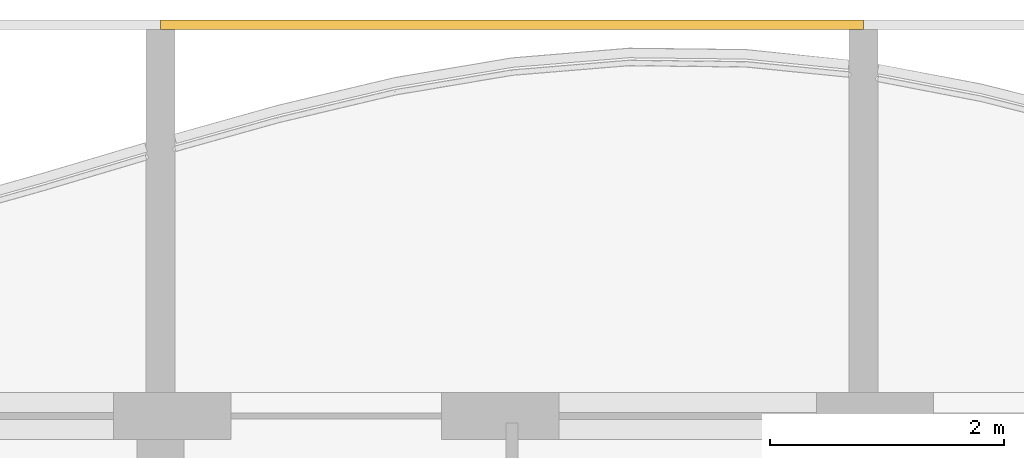
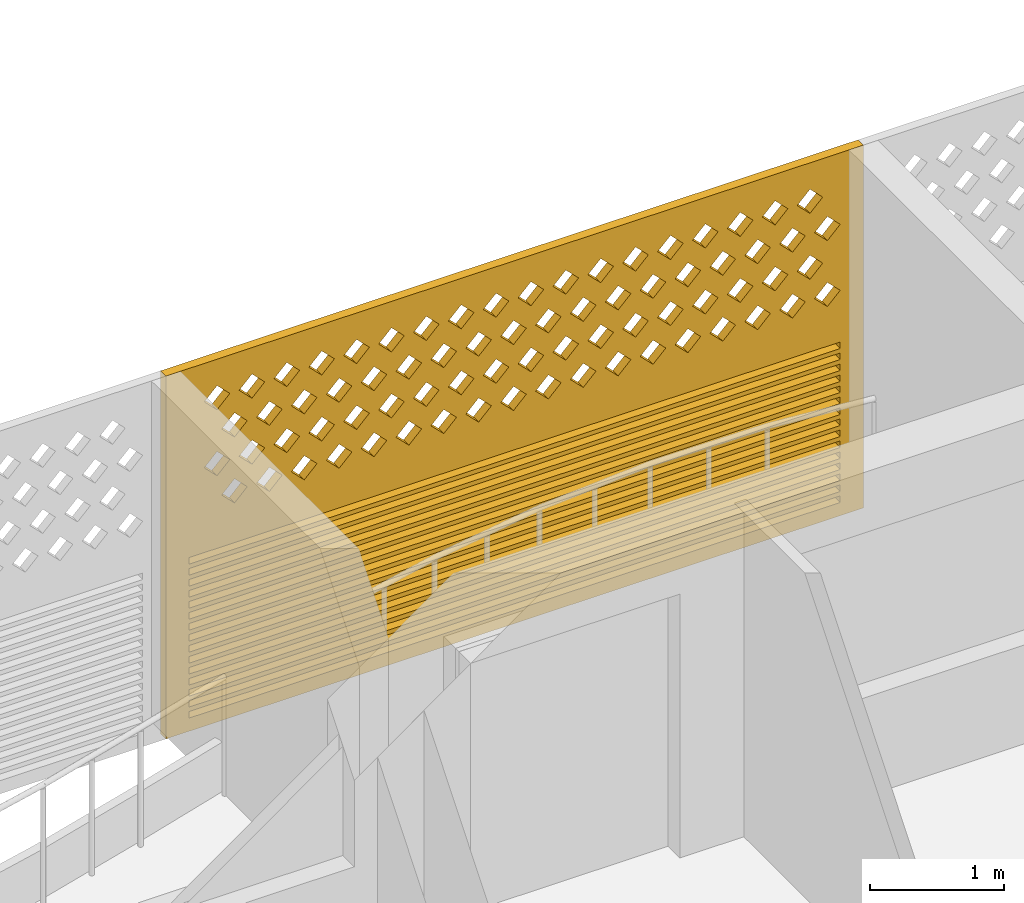
# One storey, part 37 of 39: 1 covering.
"""IFC4 building model written with IfcOpenShell, lengths in metres."""

from ifc_helpers import new_model, si_unit, direction, frame, origin, place, context, subcontext, project, spatial, polyline, outline, extrude, source, transform, mapped, material, material_profile, profile_set, type_object, element, save


model = new_model("IFC4")

# Units and contexts
model_context = context("Model", 3, precision=1e-05, world=origin(), true_north=direction((0.0, 1.0)))
body_context = subcontext(model_context, "Body", "Model", "MODEL_VIEW")
ifc_project = project(units=[si_unit("LENGTHUNIT", "METRE"), si_unit("AREAUNIT", "SQUARE_METRE"), si_unit("VOLUMEUNIT", "CUBIC_METRE"), si_unit("PLANEANGLEUNIT", "RADIAN"), si_unit("MASSUNIT", "GRAM", prefix="KILO")], contexts=[model_context])

# Site, building, storey
site_placement = place(None, origin())
site = spatial("IfcSite", under=ifc_project, at=site_placement, CompositionType="ELEMENT")
building_placement = place(site_placement, origin())
building = spatial("IfcBuilding", under=site, at=building_placement, Name="Poui Terraces", CompositionType="ELEMENT")
storey_placement = place(building_placement, frame((0.0, 0.0, 63.0)))
storey = spatial("IfcBuildingStorey", under=building, at=storey_placement, Name="L17", CompositionType="ELEMENT", Elevation=63.0)

# Covering
ifc_material = material(Name="Terracotta screen", Category="masonry")
ifc_material_profile = material_profile(ifc_material, outline(polyline([(-3.0, -1.64990234375), (3.0, -1.64990234375), (3.0, 1.64990234375), (-3.0, 1.64990234375), (-3.0, -1.64990234375)]), holes=[polyline([(-2.800048828125, 0.39990234375), (-2.68994140625, 0.2900390625), (-2.580078125, 0.39990234375), (-2.68994140625, 0.510009765625), (-2.800048828125, 0.39990234375)]), polyline([(-2.5, 0.39990234375), (-2.389892578125, 0.2900390625), (-2.280029296875, 0.39990234375), (-2.389892578125, 0.510009765625), (-2.5, 0.39990234375)]), polyline([(-2.199951171875, 0.39990234375), (-2.090087890625, 0.2900390625), (-1.97998046875, 0.39990234375), (-2.090087890625, 0.510009765625), (-2.199951171875, 0.39990234375)]), polyline([(-1.89990234375, 0.39990234375), (-1.7900390625, 0.2900390625), (-1.679931640625, 0.39990234375), (-1.7900390625, 0.510009765625), (-1.89990234375, 0.39990234375)]), polyline([(-1.60009765625, 0.39990234375), (-1.489990234375, 0.2900390625), (-1.3798828125, 0.39990234375), (-1.489990234375, 0.510009765625), (-1.60009765625, 0.39990234375)]), polyline([(-1.300048828125, 0.39990234375), (-1.18994140625, 0.2900390625), (-1.080078125, 0.39990234375), (-1.18994140625, 0.510009765625), (-1.300048828125, 0.39990234375)]), polyline([(-1.0, 0.39990234375), (-0.889892578125, 0.2900390625), (-0.780029296875, 0.39990234375), (-0.889892578125, 0.510009765625), (-1.0, 0.39990234375)]), polyline([(-0.699951171875, 0.39990234375), (-0.590087890625, 0.2900390625), (-0.47998046875, 0.39990234375), (-0.590087890625, 0.510009765625), (-0.699951171875, 0.39990234375)]), polyline([(-0.39990234375, 0.39990234375), (-0.2900390625, 0.2900390625), (-0.179931640625, 0.39990234375), (-0.2900390625, 0.510009765625), (-0.39990234375, 0.39990234375)]), polyline([(-0.10009765625, 0.39990234375), (0.010009765625, 0.2900390625), (0.1201171875, 0.39990234375), (0.010009765625, 0.510009765625), (-0.10009765625, 0.39990234375)]), polyline([(0.199951171875, 0.39990234375), (0.31005859375, 0.2900390625), (0.419921875, 0.39990234375), (0.31005859375, 0.510009765625), (0.199951171875, 0.39990234375)]), polyline([(0.5, 0.39990234375), (0.610107421875, 0.2900390625), (0.719970703125, 0.39990234375), (0.610107421875, 0.510009765625), (0.5, 0.39990234375)]), polyline([(0.800048828125, 0.39990234375), (0.909912109375, 0.2900390625), (1.02001953125, 0.39990234375), (0.909912109375, 0.510009765625), (0.800048828125, 0.39990234375)]), polyline([(1.10009765625, 0.39990234375), (1.2099609375, 0.2900390625), (1.320068359375, 0.39990234375), (1.2099609375, 0.510009765625), (1.10009765625, 0.39990234375)]), polyline([(1.39990234375, 0.39990234375), (1.510009765625, 0.2900390625), (1.6201171875, 0.39990234375), (1.510009765625, 0.510009765625), (1.39990234375, 0.39990234375)]), polyline([(1.699951171875, 0.39990234375), (1.81005859375, 0.2900390625), (1.919921875, 0.39990234375), (1.81005859375, 0.510009765625), (1.699951171875, 0.39990234375)]), polyline([(2.0, 0.39990234375), (2.110107421875, 0.2900390625), (2.219970703125, 0.39990234375), (2.110107421875, 0.510009765625), (2.0, 0.39990234375)]), polyline([(2.300048828125, 0.39990234375), (2.409912109375, 0.2900390625), (2.52001953125, 0.39990234375), (2.409912109375, 0.510009765625), (2.300048828125, 0.39990234375)]), polyline([(-2.64990234375, 0.699951171875), (-2.5400390625, 0.590087890625), (-2.429931640625, 0.699951171875), (-2.5400390625, 0.81005859375), (-2.64990234375, 0.699951171875)]), polyline([(-2.35009765625, 0.699951171875), (-2.239990234375, 0.590087890625), (-2.1298828125, 0.699951171875), (-2.239990234375, 0.81005859375), (-2.35009765625, 0.699951171875)]), polyline([(-2.050048828125, 0.699951171875), (-1.93994140625, 0.590087890625), (-1.830078125, 0.699951171875), (-1.93994140625, 0.81005859375), (-2.050048828125, 0.699951171875)]), polyline([(-1.75, 0.699951171875), (-1.639892578125, 0.590087890625), (-1.530029296875, 0.699951171875), (-1.639892578125, 0.81005859375), (-1.75, 0.699951171875)]), polyline([(-1.449951171875, 0.699951171875), (-1.340087890625, 0.590087890625), (-1.22998046875, 0.699951171875), (-1.340087890625, 0.81005859375), (-1.449951171875, 0.699951171875)]), polyline([(-1.14990234375, 0.699951171875), (-1.0400390625, 0.590087890625), (-0.929931640625, 0.699951171875), (-1.0400390625, 0.81005859375), (-1.14990234375, 0.699951171875)]), polyline([(-0.85009765625, 0.699951171875), (-0.739990234375, 0.590087890625), (-0.6298828125, 0.699951171875), (-0.739990234375, 0.81005859375), (-0.85009765625, 0.699951171875)]), polyline([(-0.550048828125, 0.699951171875), (-0.43994140625, 0.590087890625), (-0.330078125, 0.699951171875), (-0.43994140625, 0.81005859375), (-0.550048828125, 0.699951171875)]), polyline([(-0.25, 0.699951171875), (-0.139892578125, 0.590087890625), (-0.030029296875, 0.699951171875), (-0.139892578125, 0.81005859375), (-0.25, 0.699951171875)]), polyline([(0.050048828125, 0.699951171875), (0.159912109375, 0.590087890625), (0.27001953125, 0.699951171875), (0.159912109375, 0.81005859375), (0.050048828125, 0.699951171875)]), polyline([(0.35009765625, 0.699951171875), (0.4599609375, 0.590087890625), (0.570068359375, 0.699951171875), (0.4599609375, 0.81005859375), (0.35009765625, 0.699951171875)]), polyline([(0.64990234375, 0.699951171875), (0.760009765625, 0.590087890625), (0.8701171875, 0.699951171875), (0.760009765625, 0.81005859375), (0.64990234375, 0.699951171875)]), polyline([(0.949951171875, 0.699951171875), (1.06005859375, 0.590087890625), (1.169921875, 0.699951171875), (1.06005859375, 0.81005859375), (0.949951171875, 0.699951171875)]), polyline([(1.25, 0.699951171875), (1.360107421875, 0.590087890625), (1.469970703125, 0.699951171875), (1.360107421875, 0.81005859375), (1.25, 0.699951171875)]), polyline([(1.550048828125, 0.699951171875), (1.659912109375, 0.590087890625), (1.77001953125, 0.699951171875), (1.659912109375, 0.81005859375), (1.550048828125, 0.699951171875)]), polyline([(1.85009765625, 0.699951171875), (1.9599609375, 0.590087890625), (2.070068359375, 0.699951171875), (1.9599609375, 0.81005859375), (1.85009765625, 0.699951171875)]), polyline([(2.14990234375, 0.699951171875), (2.260009765625, 0.590087890625), (2.3701171875, 0.699951171875), (2.260009765625, 0.81005859375), (2.14990234375, 0.699951171875)]), polyline([(2.449951171875, 0.699951171875), (2.56005859375, 0.590087890625), (2.669921875, 0.699951171875), (2.56005859375, 0.81005859375), (2.449951171875, 0.699951171875)]), polyline([(-2.800048828125, 1.0), (-2.68994140625, 0.889892578125), (-2.580078125, 1.0), (-2.68994140625, 1.110107421875), (-2.800048828125, 1.0)]), polyline([(-2.5, 1.0), (-2.389892578125, 0.889892578125), (-2.280029296875, 1.0), (-2.389892578125, 1.110107421875), (-2.5, 1.0)]), polyline([(-2.199951171875, 1.0), (-2.090087890625, 0.889892578125), (-1.97998046875, 1.0), (-2.090087890625, 1.110107421875), (-2.199951171875, 1.0)]), polyline([(-1.89990234375, 1.0), (-1.7900390625, 0.889892578125), (-1.679931640625, 1.0), (-1.7900390625, 1.110107421875), (-1.89990234375, 1.0)]), polyline([(-1.60009765625, 1.0), (-1.489990234375, 0.889892578125), (-1.3798828125, 1.0), (-1.489990234375, 1.110107421875), (-1.60009765625, 1.0)]), polyline([(-1.300048828125, 1.0), (-1.18994140625, 0.889892578125), (-1.080078125, 1.0), (-1.18994140625, 1.110107421875), (-1.300048828125, 1.0)]), polyline([(-1.0, 1.0), (-0.889892578125, 0.889892578125), (-0.780029296875, 1.0), (-0.889892578125, 1.110107421875), (-1.0, 1.0)]), polyline([(-0.699951171875, 1.0), (-0.590087890625, 0.889892578125), (-0.47998046875, 1.0), (-0.590087890625, 1.110107421875), (-0.699951171875, 1.0)]), polyline([(-0.39990234375, 1.0), (-0.2900390625, 0.889892578125), (-0.179931640625, 1.0), (-0.2900390625, 1.110107421875), (-0.39990234375, 1.0)]), polyline([(-0.10009765625, 1.0), (0.010009765625, 0.889892578125), (0.1201171875, 1.0), (0.010009765625, 1.110107421875), (-0.10009765625, 1.0)]), polyline([(0.199951171875, 1.0), (0.31005859375, 0.889892578125), (0.419921875, 1.0), (0.31005859375, 1.110107421875), (0.199951171875, 1.0)]), polyline([(0.5, 1.0), (0.610107421875, 0.889892578125), (0.719970703125, 1.0), (0.610107421875, 1.110107421875), (0.5, 1.0)]), polyline([(0.800048828125, 1.0), (0.909912109375, 0.889892578125), (1.02001953125, 1.0), (0.909912109375, 1.110107421875), (0.800048828125, 1.0)]), polyline([(1.10009765625, 1.0), (1.2099609375, 0.889892578125), (1.320068359375, 1.0), (1.2099609375, 1.110107421875), (1.10009765625, 1.0)]), polyline([(1.39990234375, 1.0), (1.510009765625, 0.889892578125), (1.6201171875, 1.0), (1.510009765625, 1.110107421875), (1.39990234375, 1.0)]), polyline([(1.699951171875, 1.0), (1.81005859375, 0.889892578125), (1.919921875, 1.0), (1.81005859375, 1.110107421875), (1.699951171875, 1.0)]), polyline([(2.0, 1.0), (2.110107421875, 0.889892578125), (2.219970703125, 1.0), (2.110107421875, 1.110107421875), (2.0, 1.0)]), polyline([(2.300048828125, 1.0), (2.409912109375, 0.889892578125), (2.52001953125, 1.0), (2.409912109375, 1.110107421875), (2.300048828125, 1.0)]), polyline([(-2.64990234375, 1.300048828125), (-2.5400390625, 1.18994140625), (-2.429931640625, 1.300048828125), (-2.5400390625, 1.409912109375), (-2.64990234375, 1.300048828125)]), polyline([(-2.35009765625, 1.300048828125), (-2.239990234375, 1.18994140625), (-2.1298828125, 1.300048828125), (-2.239990234375, 1.409912109375), (-2.35009765625, 1.300048828125)]), polyline([(-2.050048828125, 1.300048828125), (-1.93994140625, 1.18994140625), (-1.830078125, 1.300048828125), (-1.93994140625, 1.409912109375), (-2.050048828125, 1.300048828125)]), polyline([(-1.75, 1.300048828125), (-1.639892578125, 1.18994140625), (-1.530029296875, 1.300048828125), (-1.639892578125, 1.409912109375), (-1.75, 1.300048828125)]), polyline([(-1.449951171875, 1.300048828125), (-1.340087890625, 1.18994140625), (-1.22998046875, 1.300048828125), (-1.340087890625, 1.409912109375), (-1.449951171875, 1.300048828125)]), polyline([(-1.14990234375, 1.300048828125), (-1.0400390625, 1.18994140625), (-0.929931640625, 1.300048828125), (-1.0400390625, 1.409912109375), (-1.14990234375, 1.300048828125)]), polyline([(-0.85009765625, 1.300048828125), (-0.739990234375, 1.18994140625), (-0.6298828125, 1.300048828125), (-0.739990234375, 1.409912109375), (-0.85009765625, 1.300048828125)]), polyline([(-0.550048828125, 1.300048828125), (-0.43994140625, 1.18994140625), (-0.330078125, 1.300048828125), (-0.43994140625, 1.409912109375), (-0.550048828125, 1.300048828125)]), polyline([(-0.25, 1.300048828125), (-0.139892578125, 1.18994140625), (-0.030029296875, 1.300048828125), (-0.139892578125, 1.409912109375), (-0.25, 1.300048828125)]), polyline([(0.050048828125, 1.300048828125), (0.159912109375, 1.18994140625), (0.27001953125, 1.300048828125), (0.159912109375, 1.409912109375), (0.050048828125, 1.300048828125)]), polyline([(0.35009765625, 1.300048828125), (0.4599609375, 1.18994140625), (0.570068359375, 1.300048828125), (0.4599609375, 1.409912109375), (0.35009765625, 1.300048828125)]), polyline([(0.64990234375, 1.300048828125), (0.760009765625, 1.18994140625), (0.8701171875, 1.300048828125), (0.760009765625, 1.409912109375), (0.64990234375, 1.300048828125)]), polyline([(0.949951171875, 1.300048828125), (1.06005859375, 1.18994140625), (1.169921875, 1.300048828125), (1.06005859375, 1.409912109375), (0.949951171875, 1.300048828125)]), polyline([(1.25, 1.300048828125), (1.360107421875, 1.18994140625), (1.469970703125, 1.300048828125), (1.360107421875, 1.409912109375), (1.25, 1.300048828125)]), polyline([(1.550048828125, 1.300048828125), (1.659912109375, 1.18994140625), (1.77001953125, 1.300048828125), (1.659912109375, 1.409912109375), (1.550048828125, 1.300048828125)]), polyline([(1.85009765625, 1.300048828125), (1.9599609375, 1.18994140625), (2.070068359375, 1.300048828125), (1.9599609375, 1.409912109375), (1.85009765625, 1.300048828125)]), polyline([(2.14990234375, 1.300048828125), (2.260009765625, 1.18994140625), (2.3701171875, 1.300048828125), (2.260009765625, 1.409912109375), (2.14990234375, 1.300048828125)]), polyline([(2.449951171875, 1.300048828125), (2.56005859375, 1.18994140625), (2.669921875, 1.300048828125), (2.56005859375, 1.409912109375), (2.449951171875, 1.300048828125)]), polyline([(-2.800048828125, -1.530029296875), (2.800048828125, -1.530029296875), (2.800048828125, -1.469970703125), (-2.800048828125, -1.469970703125), (-2.800048828125, -1.530029296875)]), polyline([(-2.800048828125, -1.429931640625), (2.800048828125, -1.429931640625), (2.800048828125, -1.3701171875), (-2.800048828125, -1.3701171875), (-2.800048828125, -1.429931640625)]), polyline([(-2.800048828125, -1.330078125), (2.800048828125, -1.330078125), (2.800048828125, -1.27001953125), (-2.800048828125, -1.27001953125), (-2.800048828125, -1.330078125)]), polyline([(-2.800048828125, -1.22998046875), (2.800048828125, -1.22998046875), (2.800048828125, -1.169921875), (-2.800048828125, -1.169921875), (-2.800048828125, -1.22998046875)]), polyline([(-2.800048828125, -1.1298828125), (2.800048828125, -1.1298828125), (2.800048828125, -1.070068359375), (-2.800048828125, -1.070068359375), (-2.800048828125, -1.1298828125)]), polyline([(-2.800048828125, -1.030029296875), (2.800048828125, -1.030029296875), (2.800048828125, -0.969970703125), (-2.800048828125, -0.969970703125), (-2.800048828125, -1.030029296875)]), polyline([(-2.800048828125, -0.929931640625), (2.800048828125, -0.929931640625), (2.800048828125, -0.8701171875), (-2.800048828125, -0.8701171875), (-2.800048828125, -0.929931640625)]), polyline([(-2.800048828125, -0.830078125), (2.800048828125, -0.830078125), (2.800048828125, -0.77001953125), (-2.800048828125, -0.77001953125), (-2.800048828125, -0.830078125)]), polyline([(-2.800048828125, -0.72998046875), (2.800048828125, -0.72998046875), (2.800048828125, -0.669921875), (-2.800048828125, -0.669921875), (-2.800048828125, -0.72998046875)]), polyline([(-2.800048828125, -0.6298828125), (2.800048828125, -0.6298828125), (2.800048828125, -0.570068359375), (-2.800048828125, -0.570068359375), (-2.800048828125, -0.6298828125)]), polyline([(-2.800048828125, -0.530029296875), (2.800048828125, -0.530029296875), (2.800048828125, -0.469970703125), (-2.800048828125, -0.469970703125), (-2.800048828125, -0.530029296875)]), polyline([(-2.800048828125, -0.429931640625), (2.800048828125, -0.429931640625), (2.800048828125, -0.3701171875), (-2.800048828125, -0.3701171875), (-2.800048828125, -0.429931640625)]), polyline([(-2.800048828125, -0.330078125), (2.800048828125, -0.330078125), (2.800048828125, -0.27001953125), (-2.800048828125, -0.27001953125), (-2.800048828125, -0.330078125)]), polyline([(-2.800048828125, -0.22998046875), (2.800048828125, -0.22998046875), (2.800048828125, -0.169921875), (-2.800048828125, -0.169921875), (-2.800048828125, -0.22998046875)]), polyline([(-2.800048828125, -0.1298828125), (2.800048828125, -0.1298828125), (2.800048828125, -0.070068359375), (-2.800048828125, -0.070068359375), (-2.800048828125, -0.1298828125)])]), Name="TERRACOTTA SCREEN AND JALOUSIE LOUVRE 6000X3300")
ifc_profile_set = profile_set([ifc_material_profile], Name="Terracotta screen")
covering_type = type_object("IfcCoveringType", Name="TERRACOTTA SCREEN AND JALOUSIE LOUVRE 6000X3300", PredefinedType="CLADDING", material=ifc_profile_set)
shared_shape = source(origin(), body_context, "Body", "SweptSolid", [
    extrude(outline(polyline([(-3.0, -1.64990234375), (3.0, -1.64990234375), (3.0, 1.64990234375), (-3.0, 1.64990234375), (-3.0, -1.64990234375)]), holes=[polyline([(-2.800048828125, 0.39990234375), (-2.68994140625, 0.2900390625), (-2.580078125, 0.39990234375), (-2.68994140625, 0.510009765625), (-2.800048828125, 0.39990234375)]), polyline([(-2.5, 0.39990234375), (-2.389892578125, 0.2900390625), (-2.280029296875, 0.39990234375), (-2.389892578125, 0.510009765625), (-2.5, 0.39990234375)]), polyline([(-2.199951171875, 0.39990234375), (-2.090087890625, 0.2900390625), (-1.97998046875, 0.39990234375), (-2.090087890625, 0.510009765625), (-2.199951171875, 0.39990234375)]), polyline([(-1.89990234375, 0.39990234375), (-1.7900390625, 0.2900390625), (-1.679931640625, 0.39990234375), (-1.7900390625, 0.510009765625), (-1.89990234375, 0.39990234375)]), polyline([(-1.60009765625, 0.39990234375), (-1.489990234375, 0.2900390625), (-1.3798828125, 0.39990234375), (-1.489990234375, 0.510009765625), (-1.60009765625, 0.39990234375)]), polyline([(-1.300048828125, 0.39990234375), (-1.18994140625, 0.2900390625), (-1.080078125, 0.39990234375), (-1.18994140625, 0.510009765625), (-1.300048828125, 0.39990234375)]), polyline([(-1.0, 0.39990234375), (-0.889892578125, 0.2900390625), (-0.780029296875, 0.39990234375), (-0.889892578125, 0.510009765625), (-1.0, 0.39990234375)]), polyline([(-0.699951171875, 0.39990234375), (-0.590087890625, 0.2900390625), (-0.47998046875, 0.39990234375), (-0.590087890625, 0.510009765625), (-0.699951171875, 0.39990234375)]), polyline([(-0.39990234375, 0.39990234375), (-0.2900390625, 0.2900390625), (-0.179931640625, 0.39990234375), (-0.2900390625, 0.510009765625), (-0.39990234375, 0.39990234375)]), polyline([(-0.10009765625, 0.39990234375), (0.010009765625, 0.2900390625), (0.1201171875, 0.39990234375), (0.010009765625, 0.510009765625), (-0.10009765625, 0.39990234375)]), polyline([(0.199951171875, 0.39990234375), (0.31005859375, 0.2900390625), (0.419921875, 0.39990234375), (0.31005859375, 0.510009765625), (0.199951171875, 0.39990234375)]), polyline([(0.5, 0.39990234375), (0.610107421875, 0.2900390625), (0.719970703125, 0.39990234375), (0.610107421875, 0.510009765625), (0.5, 0.39990234375)]), polyline([(0.800048828125, 0.39990234375), (0.909912109375, 0.2900390625), (1.02001953125, 0.39990234375), (0.909912109375, 0.510009765625), (0.800048828125, 0.39990234375)]), polyline([(1.10009765625, 0.39990234375), (1.2099609375, 0.2900390625), (1.320068359375, 0.39990234375), (1.2099609375, 0.510009765625), (1.10009765625, 0.39990234375)]), polyline([(1.39990234375, 0.39990234375), (1.510009765625, 0.2900390625), (1.6201171875, 0.39990234375), (1.510009765625, 0.510009765625), (1.39990234375, 0.39990234375)]), polyline([(1.699951171875, 0.39990234375), (1.81005859375, 0.2900390625), (1.919921875, 0.39990234375), (1.81005859375, 0.510009765625), (1.699951171875, 0.39990234375)]), polyline([(2.0, 0.39990234375), (2.110107421875, 0.2900390625), (2.219970703125, 0.39990234375), (2.110107421875, 0.510009765625), (2.0, 0.39990234375)]), polyline([(2.300048828125, 0.39990234375), (2.409912109375, 0.2900390625), (2.52001953125, 0.39990234375), (2.409912109375, 0.510009765625), (2.300048828125, 0.39990234375)]), polyline([(-2.64990234375, 0.699951171875), (-2.5400390625, 0.590087890625), (-2.429931640625, 0.699951171875), (-2.5400390625, 0.81005859375), (-2.64990234375, 0.699951171875)]), polyline([(-2.35009765625, 0.699951171875), (-2.239990234375, 0.590087890625), (-2.1298828125, 0.699951171875), (-2.239990234375, 0.81005859375), (-2.35009765625, 0.699951171875)]), polyline([(-2.050048828125, 0.699951171875), (-1.93994140625, 0.590087890625), (-1.830078125, 0.699951171875), (-1.93994140625, 0.81005859375), (-2.050048828125, 0.699951171875)]), polyline([(-1.75, 0.699951171875), (-1.639892578125, 0.590087890625), (-1.530029296875, 0.699951171875), (-1.639892578125, 0.81005859375), (-1.75, 0.699951171875)]), polyline([(-1.449951171875, 0.699951171875), (-1.340087890625, 0.590087890625), (-1.22998046875, 0.699951171875), (-1.340087890625, 0.81005859375), (-1.449951171875, 0.699951171875)]), polyline([(-1.14990234375, 0.699951171875), (-1.0400390625, 0.590087890625), (-0.929931640625, 0.699951171875), (-1.0400390625, 0.81005859375), (-1.14990234375, 0.699951171875)]), polyline([(-0.85009765625, 0.699951171875), (-0.739990234375, 0.590087890625), (-0.6298828125, 0.699951171875), (-0.739990234375, 0.81005859375), (-0.85009765625, 0.699951171875)]), polyline([(-0.550048828125, 0.699951171875), (-0.43994140625, 0.590087890625), (-0.330078125, 0.699951171875), (-0.43994140625, 0.81005859375), (-0.550048828125, 0.699951171875)]), polyline([(-0.25, 0.699951171875), (-0.139892578125, 0.590087890625), (-0.030029296875, 0.699951171875), (-0.139892578125, 0.81005859375), (-0.25, 0.699951171875)]), polyline([(0.050048828125, 0.699951171875), (0.159912109375, 0.590087890625), (0.27001953125, 0.699951171875), (0.159912109375, 0.81005859375), (0.050048828125, 0.699951171875)]), polyline([(0.35009765625, 0.699951171875), (0.4599609375, 0.590087890625), (0.570068359375, 0.699951171875), (0.4599609375, 0.81005859375), (0.35009765625, 0.699951171875)]), polyline([(0.64990234375, 0.699951171875), (0.760009765625, 0.590087890625), (0.8701171875, 0.699951171875), (0.760009765625, 0.81005859375), (0.64990234375, 0.699951171875)]), polyline([(0.949951171875, 0.699951171875), (1.06005859375, 0.590087890625), (1.169921875, 0.699951171875), (1.06005859375, 0.81005859375), (0.949951171875, 0.699951171875)]), polyline([(1.25, 0.699951171875), (1.360107421875, 0.590087890625), (1.469970703125, 0.699951171875), (1.360107421875, 0.81005859375), (1.25, 0.699951171875)]), polyline([(1.550048828125, 0.699951171875), (1.659912109375, 0.590087890625), (1.77001953125, 0.699951171875), (1.659912109375, 0.81005859375), (1.550048828125, 0.699951171875)]), polyline([(1.85009765625, 0.699951171875), (1.9599609375, 0.590087890625), (2.070068359375, 0.699951171875), (1.9599609375, 0.81005859375), (1.85009765625, 0.699951171875)]), polyline([(2.14990234375, 0.699951171875), (2.260009765625, 0.590087890625), (2.3701171875, 0.699951171875), (2.260009765625, 0.81005859375), (2.14990234375, 0.699951171875)]), polyline([(2.449951171875, 0.699951171875), (2.56005859375, 0.590087890625), (2.669921875, 0.699951171875), (2.56005859375, 0.81005859375), (2.449951171875, 0.699951171875)]), polyline([(-2.800048828125, 1.0), (-2.68994140625, 0.889892578125), (-2.580078125, 1.0), (-2.68994140625, 1.110107421875), (-2.800048828125, 1.0)]), polyline([(-2.5, 1.0), (-2.389892578125, 0.889892578125), (-2.280029296875, 1.0), (-2.389892578125, 1.110107421875), (-2.5, 1.0)]), polyline([(-2.199951171875, 1.0), (-2.090087890625, 0.889892578125), (-1.97998046875, 1.0), (-2.090087890625, 1.110107421875), (-2.199951171875, 1.0)]), polyline([(-1.89990234375, 1.0), (-1.7900390625, 0.889892578125), (-1.679931640625, 1.0), (-1.7900390625, 1.110107421875), (-1.89990234375, 1.0)]), polyline([(-1.60009765625, 1.0), (-1.489990234375, 0.889892578125), (-1.3798828125, 1.0), (-1.489990234375, 1.110107421875), (-1.60009765625, 1.0)]), polyline([(-1.300048828125, 1.0), (-1.18994140625, 0.889892578125), (-1.080078125, 1.0), (-1.18994140625, 1.110107421875), (-1.300048828125, 1.0)]), polyline([(-1.0, 1.0), (-0.889892578125, 0.889892578125), (-0.780029296875, 1.0), (-0.889892578125, 1.110107421875), (-1.0, 1.0)]), polyline([(-0.699951171875, 1.0), (-0.590087890625, 0.889892578125), (-0.47998046875, 1.0), (-0.590087890625, 1.110107421875), (-0.699951171875, 1.0)]), polyline([(-0.39990234375, 1.0), (-0.2900390625, 0.889892578125), (-0.179931640625, 1.0), (-0.2900390625, 1.110107421875), (-0.39990234375, 1.0)]), polyline([(-0.10009765625, 1.0), (0.010009765625, 0.889892578125), (0.1201171875, 1.0), (0.010009765625, 1.110107421875), (-0.10009765625, 1.0)]), polyline([(0.199951171875, 1.0), (0.31005859375, 0.889892578125), (0.419921875, 1.0), (0.31005859375, 1.110107421875), (0.199951171875, 1.0)]), polyline([(0.5, 1.0), (0.610107421875, 0.889892578125), (0.719970703125, 1.0), (0.610107421875, 1.110107421875), (0.5, 1.0)]), polyline([(0.800048828125, 1.0), (0.909912109375, 0.889892578125), (1.02001953125, 1.0), (0.909912109375, 1.110107421875), (0.800048828125, 1.0)]), polyline([(1.10009765625, 1.0), (1.2099609375, 0.889892578125), (1.320068359375, 1.0), (1.2099609375, 1.110107421875), (1.10009765625, 1.0)]), polyline([(1.39990234375, 1.0), (1.510009765625, 0.889892578125), (1.6201171875, 1.0), (1.510009765625, 1.110107421875), (1.39990234375, 1.0)]), polyline([(1.699951171875, 1.0), (1.81005859375, 0.889892578125), (1.919921875, 1.0), (1.81005859375, 1.110107421875), (1.699951171875, 1.0)]), polyline([(2.0, 1.0), (2.110107421875, 0.889892578125), (2.219970703125, 1.0), (2.110107421875, 1.110107421875), (2.0, 1.0)]), polyline([(2.300048828125, 1.0), (2.409912109375, 0.889892578125), (2.52001953125, 1.0), (2.409912109375, 1.110107421875), (2.300048828125, 1.0)]), polyline([(-2.64990234375, 1.300048828125), (-2.5400390625, 1.18994140625), (-2.429931640625, 1.300048828125), (-2.5400390625, 1.409912109375), (-2.64990234375, 1.300048828125)]), polyline([(-2.35009765625, 1.300048828125), (-2.239990234375, 1.18994140625), (-2.1298828125, 1.300048828125), (-2.239990234375, 1.409912109375), (-2.35009765625, 1.300048828125)]), polyline([(-2.050048828125, 1.300048828125), (-1.93994140625, 1.18994140625), (-1.830078125, 1.300048828125), (-1.93994140625, 1.409912109375), (-2.050048828125, 1.300048828125)]), polyline([(-1.75, 1.300048828125), (-1.639892578125, 1.18994140625), (-1.530029296875, 1.300048828125), (-1.639892578125, 1.409912109375), (-1.75, 1.300048828125)]), polyline([(-1.449951171875, 1.300048828125), (-1.340087890625, 1.18994140625), (-1.22998046875, 1.300048828125), (-1.340087890625, 1.409912109375), (-1.449951171875, 1.300048828125)]), polyline([(-1.14990234375, 1.300048828125), (-1.0400390625, 1.18994140625), (-0.929931640625, 1.300048828125), (-1.0400390625, 1.409912109375), (-1.14990234375, 1.300048828125)]), polyline([(-0.85009765625, 1.300048828125), (-0.739990234375, 1.18994140625), (-0.6298828125, 1.300048828125), (-0.739990234375, 1.409912109375), (-0.85009765625, 1.300048828125)]), polyline([(-0.550048828125, 1.300048828125), (-0.43994140625, 1.18994140625), (-0.330078125, 1.300048828125), (-0.43994140625, 1.409912109375), (-0.550048828125, 1.300048828125)]), polyline([(-0.25, 1.300048828125), (-0.139892578125, 1.18994140625), (-0.030029296875, 1.300048828125), (-0.139892578125, 1.409912109375), (-0.25, 1.300048828125)]), polyline([(0.050048828125, 1.300048828125), (0.159912109375, 1.18994140625), (0.27001953125, 1.300048828125), (0.159912109375, 1.409912109375), (0.050048828125, 1.300048828125)]), polyline([(0.35009765625, 1.300048828125), (0.4599609375, 1.18994140625), (0.570068359375, 1.300048828125), (0.4599609375, 1.409912109375), (0.35009765625, 1.300048828125)]), polyline([(0.64990234375, 1.300048828125), (0.760009765625, 1.18994140625), (0.8701171875, 1.300048828125), (0.760009765625, 1.409912109375), (0.64990234375, 1.300048828125)]), polyline([(0.949951171875, 1.300048828125), (1.06005859375, 1.18994140625), (1.169921875, 1.300048828125), (1.06005859375, 1.409912109375), (0.949951171875, 1.300048828125)]), polyline([(1.25, 1.300048828125), (1.360107421875, 1.18994140625), (1.469970703125, 1.300048828125), (1.360107421875, 1.409912109375), (1.25, 1.300048828125)]), polyline([(1.550048828125, 1.300048828125), (1.659912109375, 1.18994140625), (1.77001953125, 1.300048828125), (1.659912109375, 1.409912109375), (1.550048828125, 1.300048828125)]), polyline([(1.85009765625, 1.300048828125), (1.9599609375, 1.18994140625), (2.070068359375, 1.300048828125), (1.9599609375, 1.409912109375), (1.85009765625, 1.300048828125)]), polyline([(2.14990234375, 1.300048828125), (2.260009765625, 1.18994140625), (2.3701171875, 1.300048828125), (2.260009765625, 1.409912109375), (2.14990234375, 1.300048828125)]), polyline([(2.449951171875, 1.300048828125), (2.56005859375, 1.18994140625), (2.669921875, 1.300048828125), (2.56005859375, 1.409912109375), (2.449951171875, 1.300048828125)]), polyline([(-2.800048828125, -1.530029296875), (2.800048828125, -1.530029296875), (2.800048828125, -1.469970703125), (-2.800048828125, -1.469970703125), (-2.800048828125, -1.530029296875)]), polyline([(-2.800048828125, -1.429931640625), (2.800048828125, -1.429931640625), (2.800048828125, -1.3701171875), (-2.800048828125, -1.3701171875), (-2.800048828125, -1.429931640625)]), polyline([(-2.800048828125, -1.330078125), (2.800048828125, -1.330078125), (2.800048828125, -1.27001953125), (-2.800048828125, -1.27001953125), (-2.800048828125, -1.330078125)]), polyline([(-2.800048828125, -1.22998046875), (2.800048828125, -1.22998046875), (2.800048828125, -1.169921875), (-2.800048828125, -1.169921875), (-2.800048828125, -1.22998046875)]), polyline([(-2.800048828125, -1.1298828125), (2.800048828125, -1.1298828125), (2.800048828125, -1.070068359375), (-2.800048828125, -1.070068359375), (-2.800048828125, -1.1298828125)]), polyline([(-2.800048828125, -1.030029296875), (2.800048828125, -1.030029296875), (2.800048828125, -0.969970703125), (-2.800048828125, -0.969970703125), (-2.800048828125, -1.030029296875)]), polyline([(-2.800048828125, -0.929931640625), (2.800048828125, -0.929931640625), (2.800048828125, -0.8701171875), (-2.800048828125, -0.8701171875), (-2.800048828125, -0.929931640625)]), polyline([(-2.800048828125, -0.830078125), (2.800048828125, -0.830078125), (2.800048828125, -0.77001953125), (-2.800048828125, -0.77001953125), (-2.800048828125, -0.830078125)]), polyline([(-2.800048828125, -0.72998046875), (2.800048828125, -0.72998046875), (2.800048828125, -0.669921875), (-2.800048828125, -0.669921875), (-2.800048828125, -0.72998046875)]), polyline([(-2.800048828125, -0.6298828125), (2.800048828125, -0.6298828125), (2.800048828125, -0.570068359375), (-2.800048828125, -0.570068359375), (-2.800048828125, -0.6298828125)]), polyline([(-2.800048828125, -0.530029296875), (2.800048828125, -0.530029296875), (2.800048828125, -0.469970703125), (-2.800048828125, -0.469970703125), (-2.800048828125, -0.530029296875)]), polyline([(-2.800048828125, -0.429931640625), (2.800048828125, -0.429931640625), (2.800048828125, -0.3701171875), (-2.800048828125, -0.3701171875), (-2.800048828125, -0.429931640625)]), polyline([(-2.800048828125, -0.330078125), (2.800048828125, -0.330078125), (2.800048828125, -0.27001953125), (-2.800048828125, -0.27001953125), (-2.800048828125, -0.330078125)]), polyline([(-2.800048828125, -0.22998046875), (2.800048828125, -0.22998046875), (2.800048828125, -0.169921875), (-2.800048828125, -0.169921875), (-2.800048828125, -0.22998046875)]), polyline([(-2.800048828125, -0.1298828125), (2.800048828125, -0.1298828125), (2.800048828125, -0.070068359375), (-2.800048828125, -0.070068359375), (-2.800048828125, -0.1298828125)])]), origin(), (0.0, 0.0, 1.0), 0.079833984375),
])
covering_placement = place(storey_placement, frame((75.0, 48.10009765625, 1.449951171875), z_axis=(0.0, 1.0, 0.0), x_axis=(-1.0, 0.0, 0.0)))
element("IfcCovering", 1, at=covering_placement, inside=storey, type_object=covering_type, Name="SOLAR SCREEN AND JALOUSIE LOUVRE", PredefinedType="CLADDING", context=body_context, shape_type="MappedRepresentation", body=[
    mapped(shared_shape, transform((0.0, 0.0, 0.0))),
])

save(model, "model.ifc")
